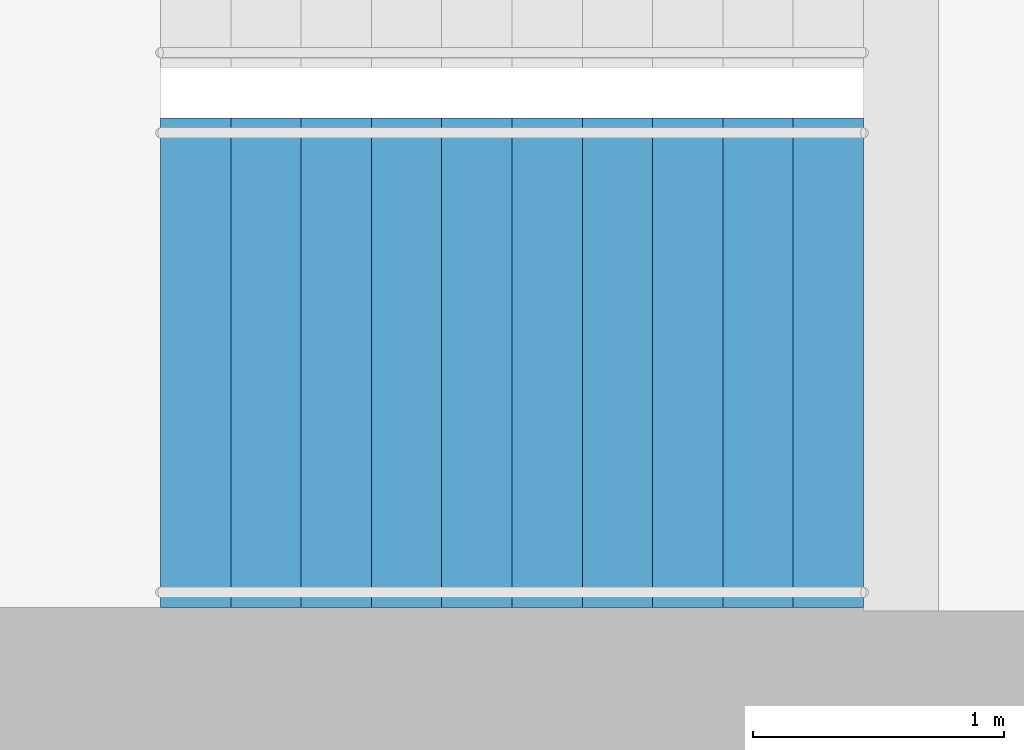
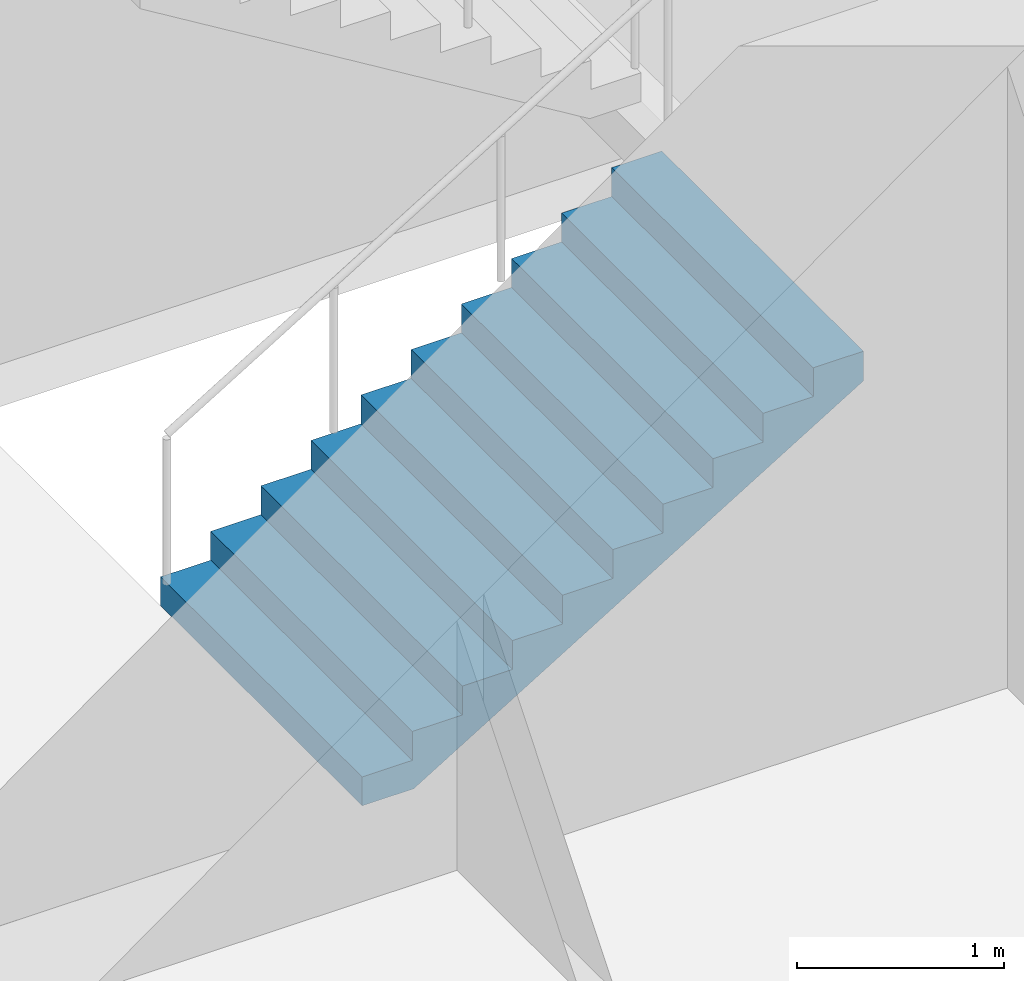
# One storey, part 20 of 24: 1 stair flight, 1 element without a shape of its own.
"""IFC4 building model written with IfcOpenShell, lengths in metres."""

from ifc_helpers import new_model, si_unit, direction, frame, origin, place, context, subcontext, project, spatial, triangles, material, type_object, element, aggregate, save


model = new_model("IFC4")

# Units and contexts
model_context = context("Model", 3, precision=1e-05, world=origin(), true_north=direction((0.0, 1.0)))
body_context = subcontext(model_context, "Body", "Model", "MODEL_VIEW")
ifc_project = project(units=[si_unit("LENGTHUNIT", "METRE"), si_unit("AREAUNIT", "SQUARE_METRE"), si_unit("VOLUMEUNIT", "CUBIC_METRE"), si_unit("PLANEANGLEUNIT", "RADIAN"), si_unit("MASSUNIT", "GRAM", prefix="KILO")], contexts=[model_context])

# Site, building, storey
site_placement = place(None, origin())
site = spatial("IfcSite", under=ifc_project, at=site_placement, CompositionType="ELEMENT")
building_placement = place(site_placement, origin())
building = spatial("IfcBuilding", under=site, at=building_placement, Name="Orbita Commons", CompositionType="ELEMENT")
storey_placement = place(building_placement, frame((0.0, 0.0, 235.300048828125)))
storey = spatial("IfcBuildingStorey", under=building, at=storey_placement, Name="L58", CompositionType="ELEMENT", Elevation=235.300048828125)

# Stair, stair flight
ifc_material_1 = material(Name="Precast concrete C40/50", Category="concrete")
stair_type = type_object("IfcStairType", Name="Exit stair S1 2 flights 11 risers 170", PredefinedType="HALF_TURN_STAIR", material=ifc_material_1)
stair_placement = place(storey_placement, origin())
stair = element("IfcStair", 1, at=stair_placement, inside=storey, type_object=stair_type, Name="Exit stair S1 L58", PredefinedType="HALF_TURN_STAIR")
ifc_material_2 = material(Name="Precast concrete C40/50", Category="concrete")
stair_flight_type = type_object("IfcStairFlightType", Name="Stair flight 11 risers 170 x 280", PredefinedType="STRAIGHT", material=ifc_material_2)
stair_flight_placement = place(storey_placement, frame((20.449951171875, 27.125, 0.0), z_axis=(0.0, 0.0, 1.0), x_axis=(1.0, 0.0, 0.0)))
stair_flight = element("IfcStairFlight", 2, at=stair_flight_placement, type_object=stair_flight_type, Name="S1 flight 1", NumberOfRisers=11, NumberOfTreads=10, PredefinedType="STRAIGHT", RiserHeight=0.170454545, TreadLength=0.28, context=body_context, shape_type="Tessellation", body=[
    triangles([(0.0, 0.974976, 0.0), (0.0, 0.974976, 0.021307), (0.0, 0.81248, 0.021307), (0.0, 0.81248, 0.0), (0.0, 0.649984, 0.021307), (0.0, 0.649984, 0.0), (0.0, 0.487488, 0.021307), (0.0, 0.487488, 0.0), (0.0, 0.324992, 0.021307), (0.0, 0.324992, 0.0), (0.0, 0.162496, 0.021307), (0.0, 0.162496, 0.0), (0.0, 0.0, 0.021307), (0.0, 0.0, 0.0), (0.0, -0.162496, 0.021307), (0.0, -0.162496, 0.0), (0.0, -0.324992, 0.021307), (0.0, -0.324992, 0.0), (0.0, -0.487488, 0.021307), (0.0, -0.487488, 0.0), (0.0, -0.649984, 0.021307), (0.0, -0.649984, 0.0), (0.0, -0.81248, 0.021307), (0.0, -0.81248, 0.0), (0.0, -0.974976, 0.021307), (0.0, -0.974976, 0.0), (0.0, 0.974976, 0.042614), (0.0, 0.81248, 0.042614), (0.0, 0.649984, 0.042614), (0.0, 0.487488, 0.042614), (0.0, 0.324992, 0.042614), (0.0, 0.162496, 0.042614), (0.0, 0.0, 0.042614), (0.0, -0.162496, 0.042614), (0.0, -0.324992, 0.042614), (0.0, -0.487488, 0.042614), (0.0, -0.649984, 0.042614), (0.0, -0.81248, 0.042614), (0.0, -0.974976, 0.042614), (0.0, 0.974976, 0.06392), (0.0, 0.81248, 0.06392), (0.0, 0.649984, 0.06392), (0.0, 0.487488, 0.06392), (0.0, 0.324992, 0.06392), (0.0, 0.162496, 0.06392), (0.0, 0.0, 0.06392), (0.0, -0.162496, 0.06392), (0.0, -0.324992, 0.06392), (0.0, -0.487488, 0.06392), (0.0, -0.649984, 0.06392), (0.0, -0.81248, 0.06392), (0.0, -0.974976, 0.06392), (0.0, 0.974976, 0.085227), (0.0, 0.81248, 0.085227), (0.0, 0.649984, 0.085227), (0.0, 0.487488, 0.085227), (0.0, 0.324992, 0.085227), (0.0, 0.162496, 0.085227), (0.0, 0.0, 0.085227), (0.0, -0.162496, 0.085227), (0.0, -0.324992, 0.085227), (0.0, -0.487488, 0.085227), (0.0, -0.649984, 0.085227), (0.0, -0.81248, 0.085227), (0.0, -0.974976, 0.085227), (0.0, 0.974976, 0.106534), (0.0, 0.81248, 0.106534), (0.0, 0.649984, 0.106534), (0.0, 0.487488, 0.106534), (0.0, 0.324992, 0.106534), (0.0, 0.162496, 0.106534), (0.0, 0.0, 0.106534), (0.0, -0.162496, 0.106534), (0.0, -0.324992, 0.106534), (0.0, -0.487488, 0.106534), (0.0, -0.649984, 0.106534), (0.0, -0.81248, 0.106534), (0.0, -0.974976, 0.106534), (0.0, 0.974976, 0.127841), (0.0, 0.81248, 0.127841), (0.0, 0.649984, 0.127841), (0.0, 0.487488, 0.127841), (0.0, 0.324992, 0.127841), (0.0, 0.162496, 0.127841), (0.0, 0.0, 0.127841), (0.0, -0.162496, 0.127841), (0.0, -0.324992, 0.127841), (0.0, -0.487488, 0.127841), (0.0, -0.649984, 0.127841), (0.0, -0.81248, 0.127841), (0.0, -0.974976, 0.127841), (0.0, 0.974976, 0.149148), (0.0, 0.81248, 0.149148), (0.0, 0.649984, 0.149148), (0.0, 0.487488, 0.149148), (0.0, 0.324992, 0.149148), (0.0, 0.162496, 0.149148), (0.0, 0.0, 0.149148), (0.0, -0.162496, 0.149148), (0.0, -0.324992, 0.149148), (0.0, -0.487488, 0.149148), (0.0, -0.649984, 0.149148), (0.0, -0.81248, 0.149148), (0.0, -0.974976, 0.149148), (0.0, 0.974976, 0.170455), (0.0, 0.81248, 0.170455), (0.0, 0.649984, 0.170455), (0.0, 0.487488, 0.170455), (0.0, 0.324992, 0.170455), (0.0, 0.162496, 0.170455), (0.0, 0.0, 0.170455), (0.0, -0.162496, 0.170455), (0.0, -0.324992, 0.170455), (0.0, -0.487488, 0.170455), (0.0, -0.649984, 0.170455), (0.0, -0.81248, 0.170455), (0.0, -0.974976, 0.170455), (0.28, 0.974976, 0.170455), (0.28, 0.81248, 0.170455), (0.28, 0.649984, 0.170455), (0.28, 0.487488, 0.170455), (0.28, 0.324992, 0.170455), (0.28, 0.162496, 0.170455), (0.28, 0.0, 0.170455), (0.28, -0.162496, 0.170455), (0.28, -0.324992, 0.170455), (0.28, -0.487488, 0.170455), (0.28, -0.649984, 0.170455), (0.28, -0.81248, 0.170455), (0.28, -0.974976, 0.170455), (0.28, 0.974976, 0.340909), (0.28, 0.81248, 0.340909), (0.28, 0.649984, 0.340909), (0.28, 0.487488, 0.340909), (0.28, 0.324992, 0.340909), (0.28, 0.162496, 0.340909), (0.28, 0.0, 0.340909), (0.28, -0.162496, 0.340909), (0.28, -0.324992, 0.340909), (0.28, -0.487488, 0.340909), (0.28, -0.649984, 0.340909), (0.28, -0.81248, 0.340909), (0.28, -0.974976, 0.340909), (0.56, 0.974976, 0.340909), (0.56, 0.81248, 0.340909), (0.56, 0.649984, 0.340909), (0.56, 0.487488, 0.340909), (0.56, 0.324992, 0.340909), (0.56, 0.162496, 0.340909), (0.56, 0.0, 0.340909), (0.56, -0.162496, 0.340909), (0.56, -0.324992, 0.340909), (0.56, -0.487488, 0.340909), (0.56, -0.649984, 0.340909), (0.56, -0.81248, 0.340909), (0.56, -0.974976, 0.340909), (0.56, 0.974976, 0.511364), (0.56, 0.81248, 0.511364), (0.56, 0.649984, 0.511364), (0.56, 0.487488, 0.511364), (0.56, 0.324992, 0.511364), (0.56, 0.162496, 0.511364), (0.56, 0.0, 0.511364), (0.56, -0.162496, 0.511364), (0.56, -0.324992, 0.511364), (0.56, -0.487488, 0.511364), (0.56, -0.649984, 0.511364), (0.56, -0.81248, 0.511364), (0.56, -0.974976, 0.511364), (0.84, 0.974976, 0.511364), (0.84, 0.81248, 0.511364), (0.84, 0.649984, 0.511364), (0.84, 0.487488, 0.511364), (0.84, 0.324992, 0.511364), (0.84, 0.162496, 0.511364), (0.84, 0.0, 0.511364), (0.84, -0.162496, 0.511364), (0.84, -0.324992, 0.511364), (0.84, -0.487488, 0.511364), (0.84, -0.649984, 0.511364), (0.84, -0.81248, 0.511364), (0.84, -0.974976, 0.511364), (0.84, 0.974976, 0.681818), (0.84, 0.81248, 0.681818), (0.84, 0.649984, 0.681818), (0.84, 0.487488, 0.681818), (0.84, 0.324992, 0.681818), (0.84, 0.162496, 0.681818), (0.84, 0.0, 0.681818), (0.84, -0.162496, 0.681818), (0.84, -0.324992, 0.681818), (0.84, -0.487488, 0.681818), (0.84, -0.649984, 0.681818), (0.84, -0.81248, 0.681818), (0.84, -0.974976, 0.681818), (1.12, 0.974976, 0.681818), (1.12, 0.81248, 0.681818), (1.12, 0.649984, 0.681818), (1.12, 0.487488, 0.681818), (1.12, 0.324992, 0.681818), (1.12, 0.162496, 0.681818), (1.12, 0.0, 0.681818), (1.12, -0.162496, 0.681818), (1.12, -0.324992, 0.681818), (1.12, -0.487488, 0.681818), (1.12, -0.649984, 0.681818), (1.12, -0.81248, 0.681818), (1.12, -0.974976, 0.681818), (1.12, 0.974976, 0.852273), (1.12, 0.81248, 0.852273), (1.12, 0.649984, 0.852273), (1.12, 0.487488, 0.852273), (1.12, 0.324992, 0.852273), (1.12, 0.162496, 0.852273), (1.12, 0.0, 0.852273), (1.12, -0.162496, 0.852273), (1.12, -0.324992, 0.852273), (1.12, -0.487488, 0.852273), (1.12, -0.649984, 0.852273), (1.12, -0.81248, 0.852273), (1.12, -0.974976, 0.852273), (1.4, 0.974976, 0.852273), (1.4, 0.81248, 0.852273), (1.4, 0.649984, 0.852273), (1.4, 0.487488, 0.852273), (1.4, 0.324992, 0.852273), (1.4, 0.162496, 0.852273), (1.4, 0.0, 0.852273), (1.4, -0.162496, 0.852273), (1.4, -0.324992, 0.852273), (1.4, -0.487488, 0.852273), (1.4, -0.649984, 0.852273), (1.4, -0.81248, 0.852273), (1.4, -0.974976, 0.852273), (1.4, 0.974976, 1.022727), (1.4, 0.81248, 1.022727), (1.4, 0.649984, 1.022727), (1.4, 0.487488, 1.022727), (1.4, 0.324992, 1.022727), (1.4, 0.162496, 1.022727), (1.4, 0.0, 1.022727), (1.4, -0.162496, 1.022727), (1.4, -0.324992, 1.022727), (1.4, -0.487488, 1.022727), (1.4, -0.649984, 1.022727), (1.4, -0.81248, 1.022727), (1.4, -0.974976, 1.022727), (1.68, 0.974976, 1.022727), (1.68, 0.81248, 1.022727), (1.68, 0.649984, 1.022727), (1.68, 0.487488, 1.022727), (1.68, 0.324992, 1.022727), (1.68, 0.162496, 1.022727), (1.68, 0.0, 1.022727), (1.68, -0.162496, 1.022727), (1.68, -0.324992, 1.022727), (1.68, -0.487488, 1.022727), (1.68, -0.649984, 1.022727), (1.68, -0.81248, 1.022727), (1.68, -0.974976, 1.022727), (1.68, 0.974976, 1.193182), (1.68, 0.81248, 1.193182), (1.68, 0.649984, 1.193182), (1.68, 0.487488, 1.193182), (1.68, 0.324992, 1.193182), (1.68, 0.162496, 1.193182), (1.68, 0.0, 1.193182), (1.68, -0.162496, 1.193182), (1.68, -0.324992, 1.193182), (1.68, -0.487488, 1.193182), (1.68, -0.649984, 1.193182), (1.68, -0.81248, 1.193182), (1.68, -0.974976, 1.193182), (1.96, 0.974976, 1.193182), (1.96, 0.81248, 1.193182), (1.96, 0.649984, 1.193182), (1.96, 0.487488, 1.193182), (1.96, 0.324992, 1.193182), (1.96, 0.162496, 1.193182), (1.96, 0.0, 1.193182), (1.96, -0.162496, 1.193182), (1.96, -0.324992, 1.193182), (1.96, -0.487488, 1.193182), (1.96, -0.649984, 1.193182), (1.96, -0.81248, 1.193182), (1.96, -0.974976, 1.193182), (1.96, 0.974976, 1.363636), (1.96, 0.81248, 1.363636), (1.96, 0.649984, 1.363636), (1.96, 0.487488, 1.363636), (1.96, 0.324992, 1.363636), (1.96, 0.162496, 1.363636), (1.96, 0.0, 1.363636), (1.96, -0.162496, 1.363636), (1.96, -0.324992, 1.363636), (1.96, -0.487488, 1.363636), (1.96, -0.649984, 1.363636), (1.96, -0.81248, 1.363636), (1.96, -0.974976, 1.363636), (2.24, 0.974976, 1.363636), (2.24, 0.81248, 1.363636), (2.24, 0.649984, 1.363636), (2.24, 0.487488, 1.363636), (2.24, 0.324992, 1.363636), (2.24, 0.162496, 1.363636), (2.24, 0.0, 1.363636), (2.24, -0.162496, 1.363636), (2.24, -0.324992, 1.363636), (2.24, -0.487488, 1.363636), (2.24, -0.649984, 1.363636), (2.24, -0.81248, 1.363636), (2.24, -0.974976, 1.363636), (2.24, 0.974976, 1.534091), (2.24, 0.81248, 1.534091), (2.24, 0.649984, 1.534091), (2.24, 0.487488, 1.534091), (2.24, 0.324992, 1.534091), (2.24, 0.162496, 1.534091), (2.24, 0.0, 1.534091), (2.24, -0.162496, 1.534091), (2.24, -0.324992, 1.534091), (2.24, -0.487488, 1.534091), (2.24, -0.649984, 1.534091), (2.24, -0.81248, 1.534091), (2.24, -0.974976, 1.534091), (2.52, 0.974976, 1.534091), (2.52, 0.81248, 1.534091), (2.52, 0.649984, 1.534091), (2.52, 0.487488, 1.534091), (2.52, 0.324992, 1.534091), (2.52, 0.162496, 1.534091), (2.52, 0.0, 1.534091), (2.52, -0.162496, 1.534091), (2.52, -0.324992, 1.534091), (2.52, -0.487488, 1.534091), (2.52, -0.649984, 1.534091), (2.52, -0.81248, 1.534091), (2.52, -0.974976, 1.534091), (2.52, 0.974976, 1.704545), (2.52, 0.81248, 1.704545), (2.52, 0.649984, 1.704545), (2.52, 0.487488, 1.704545), (2.52, 0.324992, 1.704545), (2.52, 0.162496, 1.704545), (2.52, 0.0, 1.704545), (2.52, -0.162496, 1.704545), (2.52, -0.324992, 1.704545), (2.52, -0.487488, 1.704545), (2.52, -0.649984, 1.704545), (2.52, -0.81248, 1.704545), (2.52, -0.974976, 1.704545), (2.8, 0.974976, 1.704545), (2.8, 0.81248, 1.704545), (2.8, 0.649984, 1.704545), (2.8, 0.487488, 1.704545), (2.8, 0.324992, 1.704545), (2.8, 0.162496, 1.704545), (2.8, 0.0, 1.704545), (2.8, -0.162496, 1.704545), (2.8, -0.324992, 1.704545), (2.8, -0.487488, 1.704545), (2.8, -0.649984, 1.704545), (2.8, -0.81248, 1.704545), (2.8, -0.974976, 1.704545), (2.8, 0.974976, 1.682609), (2.8, 0.81248, 1.682609), (2.8, 0.649984, 1.682609), (2.8, 0.487488, 1.682609), (2.8, 0.324992, 1.682609), (2.8, 0.162496, 1.682609), (2.8, 0.0, 1.682609), (2.8, -0.162496, 1.682609), (2.8, -0.324992, 1.682609), (2.8, -0.487488, 1.682609), (2.8, -0.649984, 1.682609), (2.8, -0.81248, 1.682609), (2.8, -0.974976, 1.682609), (2.8, 0.974976, 1.660672), (2.8, 0.81248, 1.660672), (2.8, 0.649984, 1.660672), (2.8, 0.487488, 1.660672), (2.8, 0.324992, 1.660672), (2.8, 0.162496, 1.660672), (2.8, 0.0, 1.660672), (2.8, -0.162496, 1.660672), (2.8, -0.324992, 1.660672), (2.8, -0.487488, 1.660672), (2.8, -0.649984, 1.660672), (2.8, -0.81248, 1.660672), (2.8, -0.974976, 1.660672), (2.8, 0.974976, 1.638735), (2.8, 0.81248, 1.638735), (2.8, 0.649984, 1.638735), (2.8, 0.487488, 1.638735), (2.8, 0.324992, 1.638735), (2.8, 0.162496, 1.638735), (2.8, 0.0, 1.638735), (2.8, -0.162496, 1.638735), (2.8, -0.324992, 1.638735), (2.8, -0.487488, 1.638735), (2.8, -0.649984, 1.638735), (2.8, -0.81248, 1.638735), (2.8, -0.974976, 1.638735), (2.8, 0.974976, 1.616798), (2.8, 0.81248, 1.616798), (2.8, 0.649984, 1.616798), (2.8, 0.487488, 1.616798), (2.8, 0.324992, 1.616798), (2.8, 0.162496, 1.616798), (2.8, 0.0, 1.616798), (2.8, -0.162496, 1.616798), (2.8, -0.324992, 1.616798), (2.8, -0.487488, 1.616798), (2.8, -0.649984, 1.616798), (2.8, -0.81248, 1.616798), (2.8, -0.974976, 1.616798), (2.8, 0.974976, 1.594861), (2.8, 0.81248, 1.594861), (2.8, 0.649984, 1.594861), (2.8, 0.487488, 1.594861), (2.8, 0.324992, 1.594861), (2.8, 0.162496, 1.594861), (2.8, 0.0, 1.594861), (2.8, -0.162496, 1.594861), (2.8, -0.324992, 1.594861), (2.8, -0.487488, 1.594861), (2.8, -0.649984, 1.594861), (2.8, -0.81248, 1.594861), (2.8, -0.974976, 1.594861), (2.8, 0.974976, 1.572925), (2.8, 0.81248, 1.572925), (2.8, 0.649984, 1.572925), (2.8, 0.487488, 1.572925), (2.8, 0.324992, 1.572925), (2.8, 0.162496, 1.572925), (2.8, 0.0, 1.572925), (2.8, -0.162496, 1.572925), (2.8, -0.324992, 1.572925), (2.8, -0.487488, 1.572925), (2.8, -0.649984, 1.572925), (2.8, -0.81248, 1.572925), (2.8, -0.974976, 1.572925), (2.8, 0.974976, 1.550988), (2.8, 0.81248, 1.550988), (2.8, 0.649984, 1.550988), (2.8, 0.487488, 1.550988), (2.8, 0.324992, 1.550988), (2.8, 0.162496, 1.550988), (2.8, 0.0, 1.550988), (2.8, -0.162496, 1.550988), (2.8, -0.324992, 1.550988), (2.8, -0.487488, 1.550988), (2.8, -0.649984, 1.550988), (2.8, -0.81248, 1.550988), (2.8, -0.974976, 1.550988), (2.8, 0.974976, 1.529051), (2.8, 0.81248, 1.529051), (2.8, 0.649984, 1.529051), (2.8, 0.487488, 1.529051), (2.8, 0.324992, 1.529051), (2.8, 0.162496, 1.529051), (2.8, 0.0, 1.529051), (2.8, -0.162496, 1.529051), (2.8, -0.324992, 1.529051), (2.8, -0.487488, 1.529051), (2.8, -0.649984, 1.529051), (2.8, -0.81248, 1.529051), (2.8, -0.974976, 1.529051), (0.288279, 0.974976, 0.0), (0.288279, 0.81248, 0.0), (0.288279, 0.649984, 0.0), (0.288279, 0.487488, 0.0), (0.288279, 0.324992, 0.0), (0.288279, 0.162496, 0.0), (0.288279, 0.0, 0.0), (0.288279, -0.162496, 0.0), (0.288279, -0.324992, 0.0), (0.288279, -0.487488, 0.0), (0.288279, -0.649984, 0.0), (0.288279, -0.81248, 0.0), (0.288279, -0.974976, 0.0)], [[3, 2, 1], [4, 3, 1], [5, 3, 4], [6, 5, 4], [7, 5, 6], [8, 7, 6], [9, 7, 8], [10, 9, 8], [11, 9, 10], [12, 11, 10], [13, 11, 12], [14, 13, 12], [15, 13, 14], [16, 15, 14], [17, 15, 16], [18, 17, 16], [19, 17, 18], [20, 19, 18], [21, 19, 20], [22, 21, 20], [23, 21, 22], [24, 23, 22], [25, 23, 24], [26, 25, 24], [28, 27, 2], [3, 28, 2], [29, 28, 3], [5, 29, 3], [30, 29, 5], [7, 30, 5], [31, 30, 7], [9, 31, 7], [32, 31, 9], [11, 32, 9], [33, 32, 11], [13, 33, 11], [34, 33, 13], [15, 34, 13], [35, 34, 15], [17, 35, 15], [36, 35, 17], [19, 36, 17], [37, 36, 19], [21, 37, 19], [38, 37, 21], [23, 38, 21], [39, 38, 23], [25, 39, 23], [41, 40, 27], [28, 41, 27], [42, 41, 28], [29, 42, 28], [43, 42, 29], [30, 43, 29], [44, 43, 30], [31, 44, 30], [45, 44, 31], [32, 45, 31], [46, 45, 32], [33, 46, 32], [47, 46, 33], [34, 47, 33], [48, 47, 34], [35, 48, 34], [49, 48, 35], [36, 49, 35], [50, 49, 36], [37, 50, 36], [51, 50, 37], [38, 51, 37], [52, 51, 38], [39, 52, 38], [54, 53, 40], [41, 54, 40], [55, 54, 41], [42, 55, 41], [56, 55, 42], [43, 56, 42], [57, 56, 43], [44, 57, 43], [58, 57, 44], [45, 58, 44], [59, 58, 45], [46, 59, 45], [60, 59, 46], [47, 60, 46], [61, 60, 47], [48, 61, 47], [62, 61, 48], [49, 62, 48], [63, 62, 49], [50, 63, 49], [64, 63, 50], [51, 64, 50], [65, 64, 51], [52, 65, 51], [67, 66, 53], [54, 67, 53], [68, 67, 54], [55, 68, 54], [69, 68, 55], [56, 69, 55], [70, 69, 56], [57, 70, 56], [71, 70, 57], [58, 71, 57], [72, 71, 58], [59, 72, 58], [73, 72, 59], [60, 73, 59], [74, 73, 60], [61, 74, 60], [75, 74, 61], [62, 75, 61], [76, 75, 62], [63, 76, 62], [77, 76, 63], [64, 77, 63], [78, 77, 64], [65, 78, 64], [80, 79, 66], [67, 80, 66], [81, 80, 67], [68, 81, 67], [82, 81, 68], [69, 82, 68], [83, 82, 69], [70, 83, 69], [84, 83, 70], [71, 84, 70], [85, 84, 71], [72, 85, 71], [86, 85, 72], [73, 86, 72], [87, 86, 73], [74, 87, 73], [88, 87, 74], [75, 88, 74], [89, 88, 75], [76, 89, 75], [90, 89, 76], [77, 90, 76], [91, 90, 77], [78, 91, 77], [93, 92, 79], [80, 93, 79], [94, 93, 80], [81, 94, 80], [95, 94, 81], [82, 95, 81], [96, 95, 82], [83, 96, 82], [97, 96, 83], [84, 97, 83], [98, 97, 84], [85, 98, 84], [99, 98, 85], [86, 99, 85], [100, 99, 86], [87, 100, 86], [101, 100, 87], [88, 101, 87], [102, 101, 88], [89, 102, 88], [103, 102, 89], [90, 103, 89], [104, 103, 90], [91, 104, 90], [106, 105, 92], [93, 106, 92], [107, 106, 93], [94, 107, 93], [108, 107, 94], [95, 108, 94], [109, 108, 95], [96, 109, 95], [110, 109, 96], [97, 110, 96], [111, 110, 97], [98, 111, 97], [112, 111, 98], [99, 112, 98], [113, 112, 99], [100, 113, 99], [114, 113, 100], [101, 114, 100], [115, 114, 101], [102, 115, 101], [116, 115, 102], [103, 116, 102], [117, 116, 103], [104, 117, 103], [119, 118, 105], [106, 119, 105], [120, 119, 106], [107, 120, 106], [121, 120, 107], [108, 121, 107], [122, 121, 108], [109, 122, 108], [123, 122, 109], [110, 123, 109], [124, 123, 110], [111, 124, 110], [125, 124, 111], [112, 125, 111], [126, 125, 112], [113, 126, 112], [127, 126, 113], [114, 127, 113], [128, 127, 114], [115, 128, 114], [129, 128, 115], [116, 129, 115], [130, 129, 116], [117, 130, 116], [132, 131, 118], [119, 132, 118], [133, 132, 119], [120, 133, 119], [134, 133, 120], [121, 134, 120], [135, 134, 121], [122, 135, 121], [136, 135, 122], [123, 136, 122], [137, 136, 123], [124, 137, 123], [138, 137, 124], [125, 138, 124], [139, 138, 125], [126, 139, 125], [140, 139, 126], [127, 140, 126], [141, 140, 127], [128, 141, 127], [142, 141, 128], [129, 142, 128], [143, 142, 129], [130, 143, 129], [145, 144, 131], [132, 145, 131], [146, 145, 132], [133, 146, 132], [147, 146, 133], [134, 147, 133], [148, 147, 134], [135, 148, 134], [149, 148, 135], [136, 149, 135], [150, 149, 136], [137, 150, 136], [151, 150, 137], [138, 151, 137], [152, 151, 138], [139, 152, 138], [153, 152, 139], [140, 153, 139], [154, 153, 140], [141, 154, 140], [155, 154, 141], [142, 155, 141], [156, 155, 142], [143, 156, 142], [158, 157, 144], [145, 158, 144], [159, 158, 145], [146, 159, 145], [160, 159, 146], [147, 160, 146], [161, 160, 147], [148, 161, 147], [162, 161, 148], [149, 162, 148], [163, 162, 149], [150, 163, 149], [164, 163, 150], [151, 164, 150], [165, 164, 151], [152, 165, 151], [166, 165, 152], [153, 166, 152], [167, 166, 153], [154, 167, 153], [168, 167, 154], [155, 168, 154], [169, 168, 155], [156, 169, 155], [171, 170, 157], [158, 171, 157], [172, 171, 158], [159, 172, 158], [173, 172, 159], [160, 173, 159], [174, 173, 160], [161, 174, 160], [175, 174, 161], [162, 175, 161], [176, 175, 162], [163, 176, 162], [177, 176, 163], [164, 177, 163], [178, 177, 164], [165, 178, 164], [179, 178, 165], [166, 179, 165], [180, 179, 166], [167, 180, 166], [181, 180, 167], [168, 181, 167], [182, 181, 168], [169, 182, 168], [184, 183, 170], [171, 184, 170], [185, 184, 171], [172, 185, 171], [186, 185, 172], [173, 186, 172], [187, 186, 173], [174, 187, 173], [188, 187, 174], [175, 188, 174], [189, 188, 175], [176, 189, 175], [190, 189, 176], [177, 190, 176], [191, 190, 177], [178, 191, 177], [192, 191, 178], [179, 192, 178], [193, 192, 179], [180, 193, 179], [194, 193, 180], [181, 194, 180], [195, 194, 181], [182, 195, 181], [197, 196, 183], [184, 197, 183], [198, 197, 184], [185, 198, 184], [199, 198, 185], [186, 199, 185], [200, 199, 186], [187, 200, 186], [201, 200, 187], [188, 201, 187], [202, 201, 188], [189, 202, 188], [203, 202, 189], [190, 203, 189], [204, 203, 190], [191, 204, 190], [205, 204, 191], [192, 205, 191], [206, 205, 192], [193, 206, 192], [207, 206, 193], [194, 207, 193], [208, 207, 194], [195, 208, 194], [210, 209, 196], [197, 210, 196], [211, 210, 197], [198, 211, 197], [212, 211, 198], [199, 212, 198], [213, 212, 199], [200, 213, 199], [214, 213, 200], [201, 214, 200], [215, 214, 201], [202, 215, 201], [216, 215, 202], [203, 216, 202], [217, 216, 203], [204, 217, 203], [218, 217, 204], [205, 218, 204], [219, 218, 205], [206, 219, 205], [220, 219, 206], [207, 220, 206], [221, 220, 207], [208, 221, 207], [223, 222, 209], [210, 223, 209], [224, 223, 210], [211, 224, 210], [225, 224, 211], [212, 225, 211], [226, 225, 212], [213, 226, 212], [227, 226, 213], [214, 227, 213], [228, 227, 214], [215, 228, 214], [229, 228, 215], [216, 229, 215], [230, 229, 216], [217, 230, 216], [231, 230, 217], [218, 231, 217], [232, 231, 218], [219, 232, 218], [233, 232, 219], [220, 233, 219], [234, 233, 220], [221, 234, 220], [236, 235, 222], [223, 236, 222], [237, 236, 223], [224, 237, 223], [238, 237, 224], [225, 238, 224], [239, 238, 225], [226, 239, 225], [240, 239, 226], [227, 240, 226], [241, 240, 227], [228, 241, 227], [242, 241, 228], [229, 242, 228], [243, 242, 229], [230, 243, 229], [244, 243, 230], [231, 244, 230], [245, 244, 231], [232, 245, 231], [246, 245, 232], [233, 246, 232], [247, 246, 233], [234, 247, 233], [249, 248, 235], [236, 249, 235], [250, 249, 236], [237, 250, 236], [251, 250, 237], [238, 251, 237], [252, 251, 238], [239, 252, 238], [253, 252, 239], [240, 253, 239], [254, 253, 240], [241, 254, 240], [255, 254, 241], [242, 255, 241], [256, 255, 242], [243, 256, 242], [257, 256, 243], [244, 257, 243], [258, 257, 244], [245, 258, 244], [259, 258, 245], [246, 259, 245], [260, 259, 246], [247, 260, 246], [262, 261, 248], [249, 262, 248], [263, 262, 249], [250, 263, 249], [264, 263, 250], [251, 264, 250], [265, 264, 251], [252, 265, 251], [266, 265, 252], [253, 266, 252], [267, 266, 253], [254, 267, 253], [268, 267, 254], [255, 268, 254], [269, 268, 255], [256, 269, 255], [270, 269, 256], [257, 270, 256], [271, 270, 257], [258, 271, 257], [272, 271, 258], [259, 272, 258], [273, 272, 259], [260, 273, 259], [275, 274, 261], [262, 275, 261], [276, 275, 262], [263, 276, 262], [277, 276, 263], [264, 277, 263], [278, 277, 264], [265, 278, 264], [279, 278, 265], [266, 279, 265], [280, 279, 266], [267, 280, 266], [281, 280, 267], [268, 281, 267], [282, 281, 268], [269, 282, 268], [283, 282, 269], [270, 283, 269], [284, 283, 270], [271, 284, 270], [285, 284, 271], [272, 285, 271], [286, 285, 272], [273, 286, 272], [288, 287, 274], [275, 288, 274], [289, 288, 275], [276, 289, 275], [290, 289, 276], [277, 290, 276], [291, 290, 277], [278, 291, 277], [292, 291, 278], [279, 292, 278], [293, 292, 279], [280, 293, 279], [294, 293, 280], [281, 294, 280], [295, 294, 281], [282, 295, 281], [296, 295, 282], [283, 296, 282], [297, 296, 283], [284, 297, 283], [298, 297, 284], [285, 298, 284], [299, 298, 285], [286, 299, 285], [301, 300, 287], [288, 301, 287], [302, 301, 288], [289, 302, 288], [303, 302, 289], [290, 303, 289], [304, 303, 290], [291, 304, 290], [305, 304, 291], [292, 305, 291], [306, 305, 292], [293, 306, 292], [307, 306, 293], [294, 307, 293], [308, 307, 294], [295, 308, 294], [309, 308, 295], [296, 309, 295], [310, 309, 296], [297, 310, 296], [311, 310, 297], [298, 311, 297], [312, 311, 298], [299, 312, 298], [314, 313, 300], [301, 314, 300], [315, 314, 301], [302, 315, 301], [316, 315, 302], [303, 316, 302], [317, 316, 303], [304, 317, 303], [318, 317, 304], [305, 318, 304], [319, 318, 305], [306, 319, 305], [320, 319, 306], [307, 320, 306], [321, 320, 307], [308, 321, 307], [322, 321, 308], [309, 322, 308], [323, 322, 309], [310, 323, 309], [324, 323, 310], [311, 324, 310], [325, 324, 311], [312, 325, 311], [327, 326, 313], [314, 327, 313], [328, 327, 314], [315, 328, 314], [329, 328, 315], [316, 329, 315], [330, 329, 316], [317, 330, 316], [331, 330, 317], [318, 331, 317], [332, 331, 318], [319, 332, 318], [333, 332, 319], [320, 333, 319], [334, 333, 320], [321, 334, 320], [335, 334, 321], [322, 335, 321], [336, 335, 322], [323, 336, 322], [337, 336, 323], [324, 337, 323], [338, 337, 324], [325, 338, 324], [340, 339, 326], [327, 340, 326], [341, 340, 327], [328, 341, 327], [342, 341, 328], [329, 342, 328], [343, 342, 329], [330, 343, 329], [344, 343, 330], [331, 344, 330], [345, 344, 331], [332, 345, 331], [346, 345, 332], [333, 346, 332], [347, 346, 333], [334, 347, 333], [348, 347, 334], [335, 348, 334], [349, 348, 335], [336, 349, 335], [350, 349, 336], [337, 350, 336], [351, 350, 337], [338, 351, 337], [353, 352, 339], [340, 353, 339], [354, 353, 340], [341, 354, 340], [355, 354, 341], [342, 355, 341], [356, 355, 342], [343, 356, 342], [357, 356, 343], [344, 357, 343], [358, 357, 344], [345, 358, 344], [359, 358, 345], [346, 359, 345], [360, 359, 346], [347, 360, 346], [361, 360, 347], [348, 361, 347], [362, 361, 348], [349, 362, 348], [363, 362, 349], [350, 363, 349], [364, 363, 350], [351, 364, 350], [366, 365, 352], [353, 366, 352], [367, 366, 353], [354, 367, 353], [368, 367, 354], [355, 368, 354], [369, 368, 355], [356, 369, 355], [370, 369, 356], [357, 370, 356], [371, 370, 357], [358, 371, 357], [372, 371, 358], [359, 372, 358], [373, 372, 359], [360, 373, 359], [374, 373, 360], [361, 374, 360], [375, 374, 361], [362, 375, 361], [376, 375, 362], [363, 376, 362], [377, 376, 363], [364, 377, 363], [379, 378, 365], [366, 379, 365], [380, 379, 366], [367, 380, 366], [381, 380, 367], [368, 381, 367], [382, 381, 368], [369, 382, 368], [383, 382, 369], [370, 383, 369], [384, 383, 370], [371, 384, 370], [385, 384, 371], [372, 385, 371], [386, 385, 372], [373, 386, 372], [387, 386, 373], [374, 387, 373], [388, 387, 374], [375, 388, 374], [389, 388, 375], [376, 389, 375], [390, 389, 376], [377, 390, 376], [392, 391, 378], [379, 392, 378], [393, 392, 379], [380, 393, 379], [394, 393, 380], [381, 394, 380], [395, 394, 381], [382, 395, 381], [396, 395, 382], [383, 396, 382], [397, 396, 383], [384, 397, 383], [398, 397, 384], [385, 398, 384], [399, 398, 385], [386, 399, 385], [400, 399, 386], [387, 400, 386], [401, 400, 387], [388, 401, 387], [402, 401, 388], [389, 402, 388], [403, 402, 389], [390, 403, 389], [405, 404, 391], [392, 405, 391], [406, 405, 392], [393, 406, 392], [407, 406, 393], [394, 407, 393], [408, 407, 394], [395, 408, 394], [409, 408, 395], [396, 409, 395], [410, 409, 396], [397, 410, 396], [411, 410, 397], [398, 411, 397], [412, 411, 398], [399, 412, 398], [413, 412, 399], [400, 413, 399], [414, 413, 400], [401, 414, 400], [415, 414, 401], [402, 415, 401], [416, 415, 402], [403, 416, 402], [418, 417, 404], [405, 418, 404], [419, 418, 405], [406, 419, 405], [420, 419, 406], [407, 420, 406], [421, 420, 407], [408, 421, 407], [422, 421, 408], [409, 422, 408], [423, 422, 409], [410, 423, 409], [424, 423, 410], [411, 424, 410], [425, 424, 411], [412, 425, 411], [426, 425, 412], [413, 426, 412], [427, 426, 413], [414, 427, 413], [428, 427, 414], [415, 428, 414], [429, 428, 415], [416, 429, 415], [431, 430, 417], [418, 431, 417], [432, 431, 418], [419, 432, 418], [433, 432, 419], [420, 433, 419], [434, 433, 420], [421, 434, 420], [435, 434, 421], [422, 435, 421], [436, 435, 422], [423, 436, 422], [437, 436, 423], [424, 437, 423], [438, 437, 424], [425, 438, 424], [439, 438, 425], [426, 439, 425], [440, 439, 426], [427, 440, 426], [441, 440, 427], [428, 441, 427], [442, 441, 428], [429, 442, 428], [444, 443, 430], [431, 444, 430], [445, 444, 431], [432, 445, 431], [446, 445, 432], [433, 446, 432], [447, 446, 433], [434, 447, 433], [448, 447, 434], [435, 448, 434], [449, 448, 435], [436, 449, 435], [450, 449, 436], [437, 450, 436], [451, 450, 437], [438, 451, 437], [452, 451, 438], [439, 452, 438], [453, 452, 439], [440, 453, 439], [454, 453, 440], [441, 454, 440], [455, 454, 441], [442, 455, 441], [457, 456, 443], [444, 457, 443], [458, 457, 444], [445, 458, 444], [459, 458, 445], [446, 459, 445], [460, 459, 446], [447, 460, 446], [461, 460, 447], [448, 461, 447], [462, 461, 448], [449, 462, 448], [463, 462, 449], [450, 463, 449], [464, 463, 450], [451, 464, 450], [465, 464, 451], [452, 465, 451], [466, 465, 452], [453, 466, 452], [467, 466, 453], [454, 467, 453], [468, 467, 454], [455, 468, 454], [470, 469, 456], [457, 470, 456], [471, 470, 457], [458, 471, 457], [472, 471, 458], [459, 472, 458], [473, 472, 459], [460, 473, 459], [474, 473, 460], [461, 474, 460], [475, 474, 461], [462, 475, 461], [476, 475, 462], [463, 476, 462], [477, 476, 463], [464, 477, 463], [478, 477, 464], [465, 478, 464], [479, 478, 465], [466, 479, 465], [480, 479, 466], [467, 480, 466], [481, 480, 467], [468, 481, 467], [4, 1, 469], [470, 4, 469], [6, 4, 470], [471, 6, 470], [8, 6, 471], [472, 8, 471], [10, 8, 472], [473, 10, 472], [12, 10, 473], [474, 12, 473], [14, 12, 474], [475, 14, 474], [16, 14, 475], [476, 16, 475], [18, 16, 476], [477, 18, 476], [20, 18, 477], [478, 20, 477], [22, 20, 478], [479, 22, 478], [24, 22, 479], [480, 24, 479], [26, 24, 480], [481, 26, 480], [456, 469, 1], [26, 481, 468], [443, 456, 1], [26, 468, 455], [430, 443, 1], [26, 455, 442], [417, 430, 1], [26, 442, 429], [404, 417, 1], [26, 429, 416], [391, 404, 1], [26, 416, 403], [378, 391, 1], [26, 403, 390], [365, 378, 1], [26, 390, 377], [339, 352, 365], [377, 364, 351], [326, 339, 365], [377, 351, 338], [300, 313, 326], [338, 325, 312], [300, 326, 365], [377, 338, 312], [274, 287, 300], [312, 299, 286], [274, 300, 365], [377, 312, 286], [248, 261, 274], [286, 273, 260], [248, 274, 365], [377, 286, 260], [222, 235, 248], [260, 247, 234], [222, 248, 365], [377, 260, 234], [196, 209, 222], [234, 221, 208], [196, 222, 365], [377, 234, 208], [170, 183, 196], [208, 195, 182], [170, 196, 365], [377, 208, 182], [144, 157, 170], [182, 169, 156], [144, 170, 365], [377, 182, 156], [118, 131, 144], [156, 143, 130], [118, 144, 365], [377, 156, 130], [118, 365, 1], [26, 377, 130], [92, 105, 118], [130, 117, 104], [79, 92, 118], [130, 104, 91], [66, 79, 118], [130, 91, 78], [53, 66, 118], [130, 78, 65], [40, 53, 118], [130, 65, 52], [27, 40, 118], [130, 52, 39], [2, 27, 118], [130, 39, 25], [1, 2, 118], [130, 25, 26]], closed=True),
])
aggregate(stair, [stair_flight])

save(model, "model.ifc")
